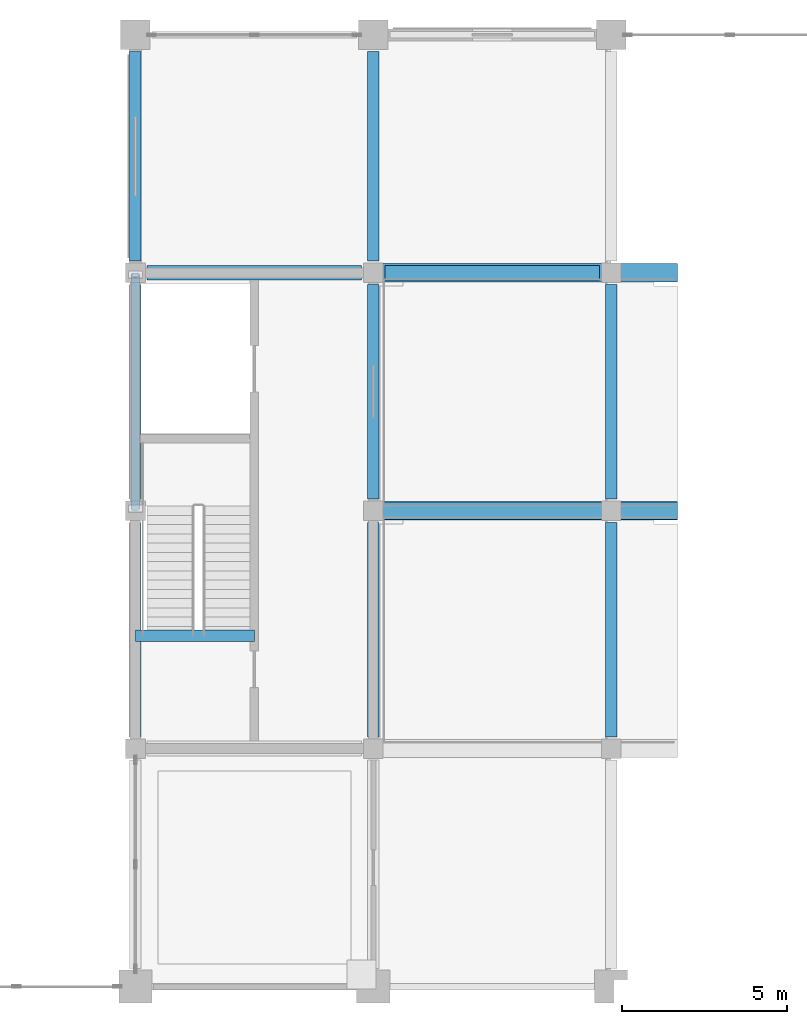
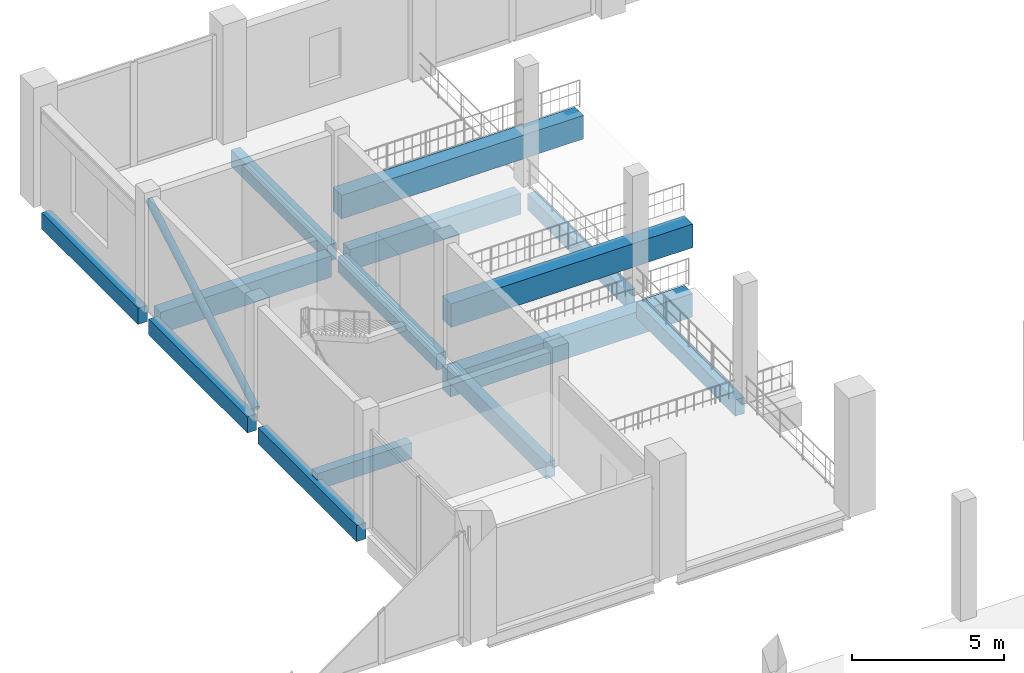
# One storey, part 27 of 99: 14 beams, 1 member.
"""IFC4 building model written with IfcOpenShell, lengths in metres."""

from ifc_helpers import new_model, si_unit, direction, frame, origin, origin_2d, place, context, subcontext, project, spatial, rectangle, hollow_circle, extrude, material, material_profile, profile_set, type_object, element, save


model = new_model("IFC4")

# Units and contexts
model_context = context("Model", 3, precision=1e-05, world=origin(), true_north=direction((0.0, 1.0)))
body_context = subcontext(model_context, "Body", "Model", "MODEL_VIEW")
ifc_project = project(units=[si_unit("LENGTHUNIT", "METRE"), si_unit("AREAUNIT", "SQUARE_METRE"), si_unit("VOLUMEUNIT", "CUBIC_METRE"), si_unit("PLANEANGLEUNIT", "RADIAN"), si_unit("MASSUNIT", "GRAM", prefix="KILO")], contexts=[model_context])

# Site, building, storey
site_placement = place(None, origin())
site = spatial("IfcSite", under=ifc_project, at=site_placement, CompositionType="ELEMENT")
building_placement = place(site_placement, origin())
building = spatial("IfcBuilding", under=site, at=building_placement, Name="Vesperath Aquatics Centre", CompositionType="ELEMENT")
storey_placement = place(building_placement, frame((0.0, 0.0, 5.39990234375)))
storey = spatial("IfcBuildingStorey", under=building, at=storey_placement, Name="L01", CompositionType="ELEMENT", Elevation=5.39990234375)

# Beams
ifc_material_1 = material(Name="Concrete C40", Category="concrete")
ifc_material_profile_1 = material_profile(ifc_material_1, rectangle(XDim=0.5400390625, YDim=0.949951171875, at=origin_2d()), Name="RC 540x950")
ifc_profile_set_1 = profile_set([ifc_material_profile_1], Name="Concrete C40")
beam_type_1 = type_object("IfcBeamType", Name="BM-DP03", PredefinedType="BEAM", material=ifc_profile_set_1)
beam_1_placement = place(storey_placement, frame((14.39990234375, 100.800048828125, -1.19482421875), z_axis=(1.0, 0.0, 0.0), x_axis=(0.0, 1.0, 0.0)))
element("IfcBeam", 1, at=beam_1_placement, inside=storey, type_object=beam_type_1, Name="Diving Platform Girder DPB3 DP_5M-N", PredefinedType="BEAM", context=body_context, shape_type="SweptSolid", body=[
    extrude(rectangle(XDim=0.5400390625, YDim=0.949951171875, at=origin_2d()), origin(), (0.0, 0.0, 1.0), 9.2001953125),
])
ifc_material_profile_2 = material_profile(ifc_material_1, rectangle(XDim=0.56005859375, YDim=0.949951171875, at=origin_2d()), Name="RC 560x950")
ifc_profile_set_2 = profile_set([ifc_material_profile_2], Name="Concrete C40")
beam_type_2 = type_object("IfcBeamType", Name="BM-DP04", PredefinedType="BEAM", material=ifc_profile_set_2)
for number, where, z_axis, x_axis, name in (
    (2, (14.39990234375, 100.800048828125, 1.60498046875), (1.0, 0.0, 0.0), (0.0, 1.0, 0.0), "Diving Platform Girder DPB4 DP_7M5-S"),
    (3, (14.39990234375, 108.0, 1.60498046875), (1.0, 0.0, 0.0), (0.0, 1.0, 0.0), "Diving Platform Girder DPB4 DP_7M5-N"),
):
    element("IfcBeam", number, at=place(storey_placement, frame(where, z_axis=z_axis, x_axis=x_axis)), inside=storey, type_object=beam_type_2, Name=name, PredefinedType="BEAM", context=body_context, shape_type="SweptSolid", body=[
        extrude(rectangle(XDim=0.56005859375, YDim=0.949951171875, at=origin_2d()), origin(), (0.0, 0.0, 1.0), 9.2001953125),
    ])
ifc_material_2 = material(Name="Concrete C35", Category="concrete")
ifc_material_profile_3 = material_profile(ifc_material_2, rectangle(XDim=0.449951171875, YDim=0.85009765625, at=origin_2d()), Name="RC 450x850")
ifc_profile_set_3 = profile_set([ifc_material_profile_3], Name="Concrete C35")
beam_type_3 = type_object("IfcBeamType", Name="BM-G03", PredefinedType="BEAM", material=ifc_profile_set_3)
for number, where, z_axis, x_axis, name in (
    (4, (7.550048828125, 108.0, -0.684814453125), (1.0, 0.0, 0.0), (0.0, 1.0, 0.0), "Floor Girder B03 L01 R 2-3"),
    (5, (14.75, 108.0, -0.684814453125), (1.0, 0.0, 0.0), (0.0, 1.0, 0.0), "Floor Girder B03 L01 R 3-4"),
):
    element("IfcBeam", number, at=place(storey_placement, frame(where, z_axis=z_axis, x_axis=x_axis)), inside=storey, type_object=beam_type_3, Name=name, PredefinedType="BEAM", context=body_context, shape_type="SweptSolid", body=[
        extrude(rectangle(XDim=0.449951171875, YDim=0.85009765625, at=origin_2d()), origin(), (0.0, 0.0, 1.0), 6.5),
    ])
ifc_material_profile_4 = material_profile(ifc_material_2, rectangle(XDim=0.35009765625, YDim=0.64990234375, at=origin_2d()), Name="RC 350x650")
ifc_profile_set_4 = profile_set([ifc_material_profile_4], Name="Concrete C35")
beam_type_4 = type_object("IfcBeamType", Name="BM-G05", PredefinedType="BEAM", material=ifc_profile_set_4)
for number, where, z_axis, x_axis, name in (
    (6, (7.199951171875, 93.949951171875, -0.5849609375), (0.0, 1.0, 0.0), (-1.0, 0.0, 0.0), "Floor Girder B05 L01 2 P-Q"),
    (7, (7.199951171875, 101.14990234375, -0.5849609375), (0.0, 1.0, 0.0), (-1.0, 0.0, 0.0), "Floor Girder B05 L01 2 Q-R"),
):
    element("IfcBeam", number, at=place(storey_placement, frame(where, z_axis=z_axis, x_axis=x_axis)), inside=storey, type_object=beam_type_4, Name=name, PredefinedType="BEAM", context=body_context, shape_type="SweptSolid", body=[
        extrude(rectangle(XDim=0.35009765625, YDim=0.64990234375, at=origin_2d()), origin(), (0.0, 0.0, 1.0), 6.5),
    ])
beam_2_placement = place(storey_placement, frame((7.199951171875, 108.35009765625, -0.5849609375), z_axis=(0.0, 1.0, 0.0), x_axis=(-1.0, 0.0, 0.0)))
element("IfcBeam", 8, at=beam_2_placement, inside=storey, type_object=beam_type_4, Name="Floor Girder B05 L01 2 R-S", PredefinedType="BEAM", context=body_context, shape_type="SweptSolid", body=[
    extrude(rectangle(XDim=0.35009765625, YDim=0.64990234375, at=origin_2d()), origin(), (0.0, 0.0, 1.0), 6.349853515625),
])
for number, where, z_axis, x_axis, name in (
    (9, (14.39990234375, 93.949951171875, -0.5849609375), (0.0, 1.0, 0.0), (-1.0, 0.0, 0.0), "Floor Girder B05 L01 3 P-Q"),
    (10, (14.39990234375, 101.14990234375, -0.5849609375), (0.0, 1.0, 0.0), (-1.0, 0.0, 0.0), "Floor Girder B05 L01 3 Q-R"),
):
    element("IfcBeam", number, at=place(storey_placement, frame(where, z_axis=z_axis, x_axis=x_axis)), inside=storey, type_object=beam_type_4, Name=name, PredefinedType="BEAM", context=body_context, shape_type="SweptSolid", body=[
        extrude(rectangle(XDim=0.35009765625, YDim=0.64990234375, at=origin_2d()), origin(), (0.0, 0.0, 1.0), 6.5),
    ])
beam_3_placement = place(storey_placement, frame((14.39990234375, 108.35009765625, -0.5849609375), z_axis=(0.0, 1.0, 0.0), x_axis=(-1.0, 0.0, 0.0)))
element("IfcBeam", 11, at=beam_3_placement, inside=storey, type_object=beam_type_4, Name="Floor Girder B05 L01 3 R-S", PredefinedType="BEAM", context=body_context, shape_type="SweptSolid", body=[
    extrude(rectangle(XDim=0.35009765625, YDim=0.64990234375, at=origin_2d()), origin(), (0.0, 0.0, 1.0), 6.349853515625),
])
for number, where, z_axis, x_axis, name in (
    (12, (21.60009765625, 93.949951171875, -0.5849609375), (0.0, 1.0, 0.0), (-1.0, 0.0, 0.0), "Floor Girder B05 L01 4 P-Q"),
    (13, (21.60009765625, 101.14990234375, -0.5849609375), (0.0, 1.0, 0.0), (-1.0, 0.0, 0.0), "Floor Girder B05 L01 4 Q-R"),
):
    element("IfcBeam", number, at=place(storey_placement, frame(where, z_axis=z_axis, x_axis=x_axis)), inside=storey, type_object=beam_type_4, Name=name, PredefinedType="BEAM", context=body_context, shape_type="SweptSolid", body=[
        extrude(rectangle(XDim=0.35009765625, YDim=0.64990234375, at=origin_2d()), origin(), (0.0, 0.0, 1.0), 6.5),
    ])
beam_4_placement = place(storey_placement, frame((7.199951171875, 97.02001953125, -0.324951171875), z_axis=(1.0, 0.0, 0.0), x_axis=(0.0, 1.0, 0.0)))
element("IfcBeam", 14, at=beam_4_placement, inside=storey, type_object=beam_type_4, Name="Stair ST3 Landing Trimmer Beam B05 L01", PredefinedType="BEAM", context=body_context, shape_type="SweptSolid", body=[
    extrude(rectangle(XDim=0.35009765625, YDim=0.64990234375, at=origin_2d()), origin(), (0.0, 0.0, 1.0), 3.60009765625),
])

# Member
ifc_material_3 = material(Name="Steel Q355D", Category="steel")
ifc_material_profile_5 = material_profile(ifc_material_3, hollow_circle(Radius=0.136474609375, WallThickness=0.011962890625, at=origin_2d()), Name="CHS 273.0x12")
ifc_profile_set_5 = profile_set([ifc_material_profile_5], Name="Steel Q355D")
member_type = type_object("IfcMemberType", Name="MB-TS02", PredefinedType="STRUT", material=ifc_profile_set_5)
member_placement = place(storey_placement, frame((7.199951171875, 100.869140625, 0.1904296875), z_axis=(0.0, 0.863777817794, 0.503872882269), x_axis=(-1.0, 0.0, 0.0)))
element("IfcMember", 15, at=member_placement, inside=storey, type_object=member_type, Name="Lateral Braced Frame Strut C3_W L01", PredefinedType="STRUT", context=body_context, shape_type="SweptSolid", body=[
    extrude(hollow_circle(Radius=0.136474609375, WallThickness=0.011962890625, at=origin_2d()), origin(), (0.0, 0.0, 1.0), 8.175537109375),
])

save(model, "model.ifc")
